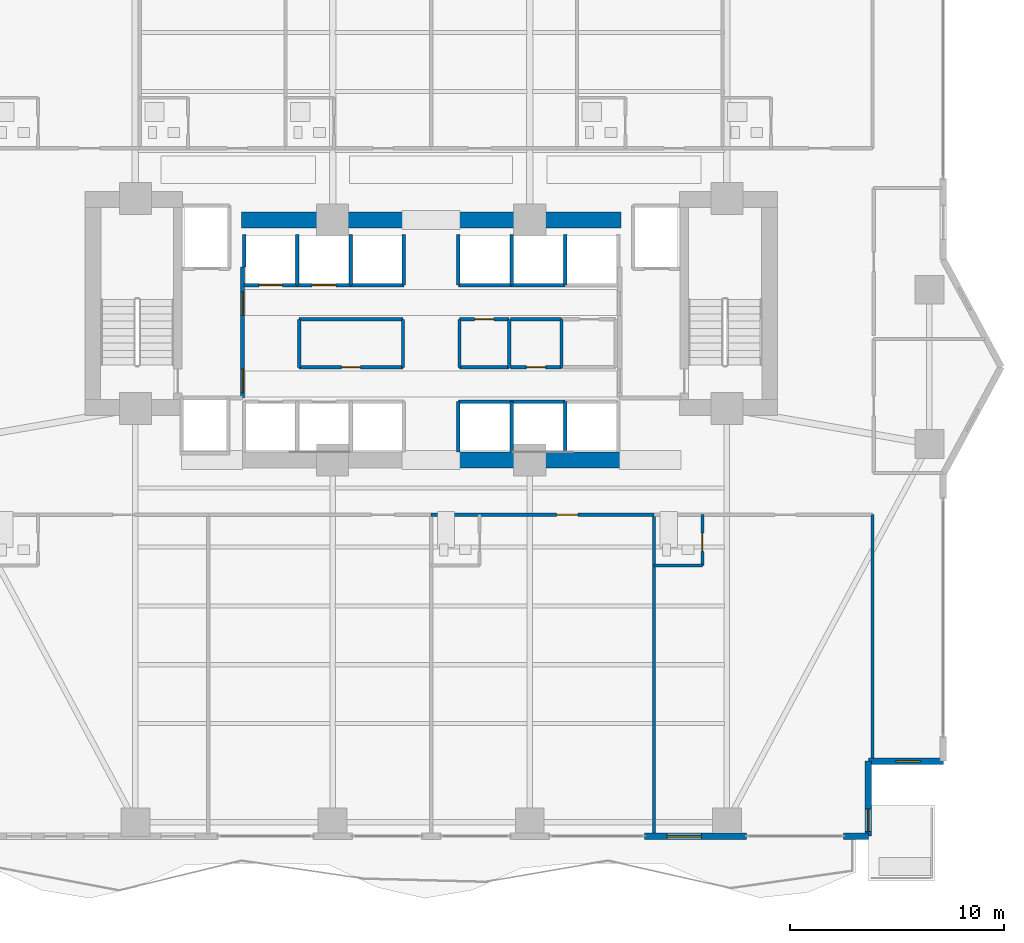
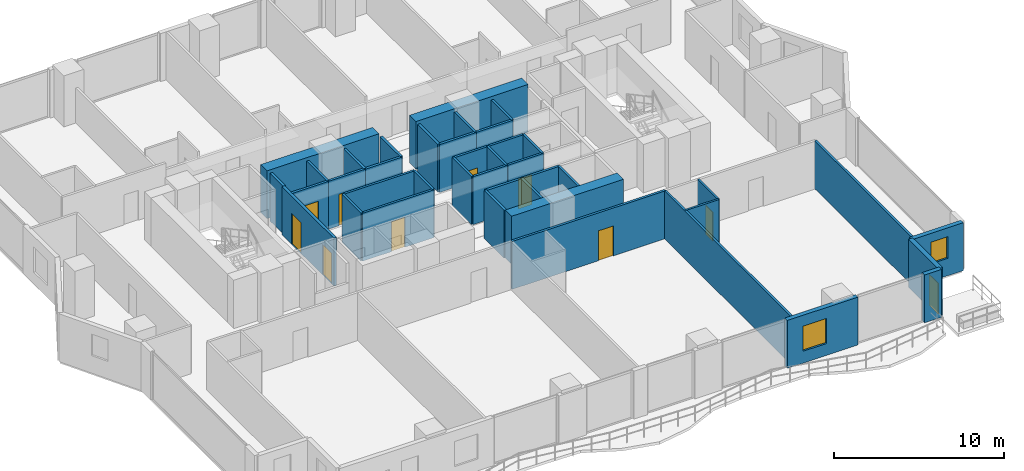
# One storey, part 22 of 30: 41 walls, 10 doors, 2 windows, 12 openings.
"""IFC4 building model written with IfcOpenShell, lengths in metres."""

from ifc_helpers import new_model, si_unit, direction, frame, frame_2d, origin, place, context, subcontext, project, spatial, rectangle, extrude, material, layer, layer_set, type_object, element, fill, save


model = new_model("IFC4")

# Units and contexts
model_context = context("Model", 3, precision=1e-05, world=origin(), true_north=direction((0.0, 1.0)))
body_context = subcontext(model_context, "Body", "Model", "MODEL_VIEW")
ifc_project = project(units=[si_unit("LENGTHUNIT", "METRE"), si_unit("AREAUNIT", "SQUARE_METRE"), si_unit("VOLUMEUNIT", "CUBIC_METRE"), si_unit("PLANEANGLEUNIT", "RADIAN"), si_unit("MASSUNIT", "GRAM", prefix="KILO")], contexts=[model_context])

# Site, building, storey
site_placement = place(None, origin())
site = spatial("IfcSite", under=ifc_project, at=site_placement, CompositionType="ELEMENT")
building_placement = place(site_placement, origin())
building = spatial("IfcBuilding", under=site, at=building_placement, Name="Zuhayl Quay Hotel", CompositionType="ELEMENT")
storey_placement = place(building_placement, frame((0.0, 0.0, 128.5)))
storey = spatial("IfcBuildingStorey", under=building, at=storey_placement, Name="L32", CompositionType="ELEMENT", Elevation=128.5)

# Walls
ifc_material_1 = material(Name="Concrete C60/75", Category="concrete")
ifc_layer_1 = layer(ifc_material_1, 0.75, Name="Concrete C60/75", Category="concrete")
ifc_layer_set_1 = layer_set([ifc_layer_1], Name="Concrete C60/75")
wall_type_1 = type_object("IfcWallType", Name="WL_CORE_750", PredefinedType="SHEAR", material=ifc_layer_set_1)
for number, where, z_axis, x_axis, name in (
    (1, (1.25, 2.14990234375, 0.0), (0.0, 0.0, 1.0), (1.0, 0.0, 0.0), "L32 Core Shear Wall CW_SC_E"),
    (2, (-8.85009765625, 13.35009765625, 0.0), (0.0, 0.0, 1.0), (1.0, 0.0, 0.0), "L32 Core Shear Wall CW_NC_W"),
    (3, (1.25, 13.35009765625, 0.0), (0.0, 0.0, 1.0), (1.0, 0.0, 0.0), "L32 Core Shear Wall CW_NC_E"),
):
    element("IfcWall", number, at=place(storey_placement, frame(where, z_axis=z_axis, x_axis=x_axis)), inside=storey, type_object=wall_type_1, Name=name, PredefinedType="SHEAR", context=body_context, shape_type="SweptSolid", body=[
        extrude(rectangle(XDim=7.60009765625, YDim=0.75, at=frame_2d((3.800048828125, 0.0))), origin(), (0.0, 0.0, 1.0), 3.429931640625),
    ])

# Wall, opening, window
ifc_material_2 = material(Name="Precast concrete C45/55", Category="concrete")
ifc_layer_2 = layer(ifc_material_2, 0.300048828125, Name="Precast concrete C45/55", Category="concrete")
ifc_layer_set_2 = layer_set([ifc_layer_2], Name="Precast concrete C45/55")
wall_type_2 = type_object("IfcWallType", Name="WL_EXT_300", PredefinedType="STANDARD", material=ifc_layer_set_2)
wall_1_placement = place(storey_placement, frame((23.89990234375, -11.89990234375, 0.0), z_axis=(0.0, 0.0, 1.0), x_axis=(-1.0, 0.0, 0.0)))
wall_1 = element("IfcWall", 4, at=wall_1_placement, inside=storey, type_object=wall_type_2, Name="L32 Exterior Precast Wall ENV_L32_EW15", PredefinedType="STANDARD", context=body_context, shape_type="SweptSolid", body=[
    extrude(rectangle(XDim=3.5, YDim=0.300048828125, at=frame_2d((1.75, 0.0))), origin(), (0.0, 0.0, 1.0), 3.429931640625),
])
opening_1_placement = place(wall_1_placement, frame((1.06494140625, 0.0, 1.25)))
opening_1 = element("IfcOpeningElement", 5, at=opening_1_placement, cuts=wall_1, Name="Opening W01N", PredefinedType="OPENING", context=body_context, shape_type="SweptSolid", body=[
    extrude(rectangle(XDim=1.14990234375, YDim=1.550048828125, at=frame_2d((0.574951171875, 0.77490234375))), frame((0.0, 0.159912109375, 0.0), z_axis=(0.0, -1.0, 0.0), x_axis=(1.0, 0.0, 0.0)), (0.0, 0.0, 1.0), 0.320068359375),
])
ifc_material_3 = material(Name="Dark Ceramic-Fritted Solar Glass", Category="glass")
window_type_1 = type_object("IfcWindowType", Name="WN_NOTCH_1350", PartitioningType="SINGLE_PANEL", PredefinedType="WINDOW", material=ifc_material_3)
window_1_placement = place(opening_1_placement, origin())
window_1 = element("IfcWindow", 6, at=window_1_placement, inside=storey, type_object=window_type_1, Name="L32 Corner Notch Window 15", OverallHeight=1.550048828125, OverallWidth=1.14990234375, PartitioningType="SINGLE_PANEL", PredefinedType="WINDOW", context=body_context, shape_type="SweptSolid", body=[
    extrude(rectangle(XDim=1.14990234375, YDim=1.550048828125, at=frame_2d((0.574951171875, 0.77490234375))), frame((0.0, 0.030029296875, 0.0), z_axis=(0.0, -1.0, 0.0), x_axis=(1.0, 0.0, 0.0)), (0.0, 0.0, 1.0), 0.06005859375),
])
fill(opening_1, window_1)

# Wall, opening, door
wall_2_placement = place(storey_placement, frame((20.39990234375, -11.89990234375, 0.0), z_axis=(0.0, 0.0, 1.0), x_axis=(0.0, -1.0, 0.0)))
wall_2 = element("IfcWall", 7, at=wall_2_placement, inside=storey, type_object=wall_type_2, Name="L32 Exterior Precast Wall ENV_L32_SP_SE", PredefinedType="STANDARD", context=body_context, shape_type="SweptSolid", body=[
    extrude(rectangle(XDim=3.5, YDim=0.300048828125, at=frame_2d((1.75, 0.0))), origin(), (0.0, 0.0, 1.0), 3.429931640625),
])
opening_2_placement = place(wall_2_placement, frame((2.22998046875, 0.0, 0.0)))
opening_2 = element("IfcOpeningElement", 8, at=opening_2_placement, cuts=wall_2, Name="Opening DG1", PredefinedType="OPENING", context=body_context, shape_type="SweptSolid", body=[
    extrude(rectangle(XDim=1.050048828125, YDim=2.199951171875, at=frame_2d((0.52490234375, 1.10009765625))), frame((0.0, 0.159912109375, 0.0), z_axis=(0.0, -1.0, 0.0), x_axis=(1.0, 0.0, 0.0)), (0.0, 0.0, 1.0), 0.320068359375),
])
ifc_material_4 = material(Name="Anodised Aluminium and Dark Solar Glass", Category="aluminium")
door_type_1 = type_object("IfcDoorType", Name="DR_EXT_TERR_1050", OperationType="NOTDEFINED", PredefinedType="DOOR", material=ifc_material_4)
door_1_placement = place(opening_2_placement, origin())
door_1 = element("IfcDoor", 9, at=door_1_placement, inside=storey, type_object=door_type_1, Name="L32 Spiral Sky-Terrace SE Access Door", OperationType="SINGLE_SWING_LEFT", OverallHeight=2.199951171875, OverallWidth=1.050048828125, PredefinedType="DOOR", context=body_context, shape_type="SweptSolid", body=[
    extrude(rectangle(XDim=1.050048828125, YDim=2.199951171875, at=frame_2d((0.52490234375, 1.10009765625))), frame((0.0, 0.02490234375, 0.0), z_axis=(0.0, -1.0, 0.0), x_axis=(1.0, 0.0, 0.0)), (0.0, 0.0, 1.0), 0.050048828125),
])
fill(opening_2, door_1)

# Wall
wall_3_placement = place(storey_placement, frame((20.39990234375, -15.39990234375, 0.0), z_axis=(0.0, 0.0, 1.0), x_axis=(-1.0, 0.0, 0.0)))
element("IfcWall", 10, at=wall_3_placement, inside=storey, type_object=wall_type_2, Name="L32 Exterior Precast Wall ENV_L32_S_EW1", PredefinedType="STANDARD", context=body_context, shape_type="SweptSolid", body=[
    extrude(rectangle(XDim=1.14990234375, YDim=0.300048828125, at=frame_2d((0.574951171875, 0.0))), origin(), (0.0, 0.0, 1.0), 3.429931640625),
])

# Wall, opening, window
wall_4_placement = place(storey_placement, frame((14.719970703125, -15.39990234375, 0.0), z_axis=(0.0, 0.0, 1.0), x_axis=(-1.0, 0.0, 0.0)))
wall_4 = element("IfcWall", 11, at=wall_4_placement, inside=storey, type_object=wall_type_2, Name="L32 Exterior Precast Wall ENV_L32_S_EW2", PredefinedType="STANDARD", context=body_context, shape_type="SweptSolid", body=[
    extrude(rectangle(XDim=4.77001953125, YDim=0.300048828125, at=frame_2d((2.385009765625, 0.0))), origin(), (0.0, 0.0, 1.0), 3.429931640625),
])
opening_3_placement = place(wall_4_placement, frame((2.110107421875, 0.0, 0.85009765625)))
opening_3 = element("IfcOpeningElement", 12, at=opening_3_placement, cuts=wall_4, Name="Opening W01", PredefinedType="OPENING", context=body_context, shape_type="SweptSolid", body=[
    extrude(rectangle(XDim=1.60009765625, YDim=1.800048828125, at=frame_2d((0.800048828125, 0.89990234375))), frame((0.0, 0.159912109375, 0.0), z_axis=(0.0, -1.0, 0.0), x_axis=(1.0, 0.0, 0.0)), (0.0, 0.0, 1.0), 0.320068359375),
])
window_type_2 = type_object("IfcWindowType", Name="WN_OPERABLE_1600", PartitioningType="DOUBLE_PANEL_VERTICAL", PredefinedType="WINDOW", material=ifc_material_3)
window_2_placement = place(opening_3_placement, origin())
window_2 = element("IfcWindow", 13, at=window_2_placement, inside=storey, type_object=window_type_2, Name="L32 Operable Facade Window 2-1", OverallHeight=1.800048828125, OverallWidth=1.60009765625, PartitioningType="SINGLE_PANEL", PredefinedType="WINDOW", context=body_context, shape_type="SweptSolid", body=[
    extrude(rectangle(XDim=1.60009765625, YDim=1.800048828125, at=frame_2d((0.800048828125, 0.89990234375))), frame((0.0, 0.030029296875, 0.0), z_axis=(0.0, -1.0, 0.0), x_axis=(1.0, 0.0, 0.0)), (0.0, 0.0, 1.0), 0.06005859375),
])
fill(opening_3, window_2)

# Wall, opening, door
ifc_material_5 = material(Name="Acoustic Gypsum Partition STC-58")
ifc_layer_3 = layer(ifc_material_5, 0.14990234375, Name="Acoustic Gypsum Partition STC-58")
ifc_layer_set_3 = layer_set([ifc_layer_3], Name="Acoustic Gypsum Partition STC-58")
wall_type_3 = type_object("IfcWallType", Name="WL_PART_150", PredefinedType="PARTITIONING", material=ifc_layer_set_3)
wall_5_placement = place(storey_placement, frame((-6.159912109375, 6.47998046875, 0.0), z_axis=(0.0, 0.0, 1.0), x_axis=(1.0, 0.0, 0.0)))
wall_5 = element("IfcWall", 14, at=wall_5_placement, inside=storey, type_object=wall_type_3, Name="L32 Partition IW_L32_CORE_SV_S", PredefinedType="PARTITIONING", context=body_context, shape_type="SweptSolid", body=[
    extrude(rectangle(XDim=4.83984375, YDim=0.14990234375, at=frame_2d((2.419921875, 0.0))), origin(), (0.0, 0.0, 1.0), 3.429931640625),
])
opening_4_placement = place(wall_5_placement, frame((1.969970703125, 0.0, 0.0)))
opening_4 = element("IfcOpeningElement", 15, at=opening_4_placement, cuts=wall_5, Name="Opening D06", PredefinedType="OPENING", context=body_context, shape_type="SweptSolid", body=[
    extrude(rectangle(XDim=0.89990234375, YDim=2.14990234375, at=frame_2d((0.449951171875, 1.074951171875))), frame((0.0, 0.0849609375, 0.0), z_axis=(0.0, -1.0, 0.0), x_axis=(1.0, 0.0, 0.0)), (0.0, 0.0, 1.0), 0.169921875),
])
ifc_material_6 = material(Name="Steel ASTM A992 Grade 50", Category="steel")
door_type_2 = type_object("IfcDoorType", Name="DR_INT_900", OperationType="NOTDEFINED", PredefinedType="DOOR", material=ifc_material_6)
door_2_placement = place(opening_4_placement, origin())
door_2 = element("IfcDoor", 16, at=door_2_placement, inside=storey, type_object=door_type_2, Name="L32 Core Ice and Linen Store Door", OperationType="SINGLE_SWING_LEFT", OverallHeight=2.14990234375, OverallWidth=0.89990234375, PredefinedType="DOOR", context=body_context, shape_type="SweptSolid", body=[
    extrude(rectangle(XDim=0.89990234375, YDim=2.14990234375, at=frame_2d((0.449951171875, 1.074951171875))), frame((0.0, 0.02490234375, 0.0), z_axis=(0.0, -1.0, 0.0), x_axis=(1.0, 0.0, 0.0)), (0.0, 0.0, 1.0), 0.050048828125),
])
fill(opening_4, door_2)

wall_6_placement = place(storey_placement, frame((1.320068359375, 8.719970703125, 0.0), z_axis=(0.0, 0.0, 1.0), x_axis=(1.0, 0.0, 0.0)))
wall_6 = element("IfcWall", 17, at=wall_6_placement, inside=storey, type_object=wall_type_3, Name="L32 Partition IW_L32_CORE_E1_N", PredefinedType="PARTITIONING", context=body_context, shape_type="SweptSolid", body=[
    extrude(rectangle(XDim=2.31982421875, YDim=0.14990234375, at=frame_2d((1.159912109375, 0.0))), origin(), (0.0, 0.0, 1.0), 3.429931640625),
])
opening_5_placement = place(wall_6_placement, frame((0.7099609375, 0.0, 0.0)))
opening_5 = element("IfcOpeningElement", 18, at=opening_5_placement, cuts=wall_6, Name="Opening D06", PredefinedType="OPENING", context=body_context, shape_type="SweptSolid", body=[
    extrude(rectangle(XDim=0.89990234375, YDim=2.14990234375, at=frame_2d((0.449951171875, 1.074951171875))), frame((0.0, 0.0849609375, 0.0), z_axis=(0.0, -1.0, 0.0), x_axis=(1.0, 0.0, 0.0)), (0.0, 0.0, 1.0), 0.169921875),
])
door_3_placement = place(opening_5_placement, origin())
door_3 = element("IfcDoor", 19, at=door_3_placement, inside=storey, type_object=door_type_2, Name="L32 Floor Electrical Closet Door", OperationType="SINGLE_SWING_RIGHT", OverallHeight=2.14990234375, OverallWidth=0.89990234375, PredefinedType="DOOR", context=body_context, shape_type="SweptSolid", body=[
    extrude(rectangle(XDim=0.89990234375, YDim=2.14990234375, at=frame_2d((0.449951171875, 1.074951171875))), frame((0.0, 0.02490234375, 0.0), z_axis=(0.0, -1.0, 0.0), x_axis=(1.0, 0.0, 0.0)), (0.0, 0.0, 1.0), 0.050048828125),
])
fill(opening_5, door_3)

wall_7_placement = place(storey_placement, frame((3.699951171875, 6.47998046875, 0.0), z_axis=(0.0, 0.0, 1.0), x_axis=(1.0, 0.0, 0.0)))
wall_7 = element("IfcWall", 20, at=wall_7_placement, inside=storey, type_object=wall_type_3, Name="L32 Partition IW_L32_CORE_E2_S", PredefinedType="PARTITIONING", context=body_context, shape_type="SweptSolid", body=[
    extrude(rectangle(XDim=2.380126953125, YDim=0.14990234375, at=frame_2d((1.18994140625, 0.0))), origin(), (0.0, 0.0, 1.0), 3.429931640625),
])
opening_6_placement = place(wall_7_placement, frame((0.739990234375, 0.0, 0.0)))
opening_6 = element("IfcOpeningElement", 21, at=opening_6_placement, cuts=wall_7, Name="Opening D06", PredefinedType="OPENING", context=body_context, shape_type="SweptSolid", body=[
    extrude(rectangle(XDim=0.89990234375, YDim=2.14990234375, at=frame_2d((0.449951171875, 1.074951171875))), frame((0.0, 0.0849609375, 0.0), z_axis=(0.0, -1.0, 0.0), x_axis=(1.0, 0.0, 0.0)), (0.0, 0.0, 1.0), 0.169921875),
])
door_4_placement = place(opening_6_placement, origin())
door_4 = element("IfcDoor", 22, at=door_4_placement, inside=storey, type_object=door_type_2, Name="L32 Data Closet Door", OperationType="SINGLE_SWING_LEFT", OverallHeight=2.14990234375, OverallWidth=0.89990234375, PredefinedType="DOOR", context=body_context, shape_type="SweptSolid", body=[
    extrude(rectangle(XDim=0.89990234375, YDim=2.14990234375, at=frame_2d((0.449951171875, 1.074951171875))), frame((0.0, 0.02490234375, 0.0), z_axis=(0.0, -1.0, 0.0), x_axis=(1.0, 0.0, 0.0)), (0.0, 0.0, 1.0), 0.050048828125),
])
fill(opening_6, door_4)

# Walls
wall_8_placement = place(storey_placement, frame((-6.159912109375, 8.719970703125, 0.0), z_axis=(0.0, 0.0, 1.0), x_axis=(1.0, 0.0, 0.0)))
element("IfcWall", 23, at=wall_8_placement, inside=storey, type_object=wall_type_3, Name="L32 Partition IW_L32_CORE_SV_N", PredefinedType="PARTITIONING", context=body_context, shape_type="SweptSolid", body=[
    extrude(rectangle(XDim=4.83984375, YDim=0.14990234375, at=frame_2d((2.419921875, 0.0))), origin(), (0.0, 0.0, 1.0), 3.429931640625),
])
for number, where, z_axis, x_axis, name in (
    (24, (-6.159912109375, 6.47998046875, 0.0), (0.0, 0.0, 1.0), (0.0, 1.0, 0.0), "L32 Partition IW_L32_CORE_SV_W"),
    (25, (-1.320068359375, 6.47998046875, 0.0), (0.0, 0.0, 1.0), (0.0, 1.0, 0.0), "L32 Partition IW_L32_CORE_SV_E"),
):
    element("IfcWall", number, at=place(storey_placement, frame(where, z_axis=z_axis, x_axis=x_axis)), inside=storey, type_object=wall_type_3, Name=name, PredefinedType="PARTITIONING", context=body_context, shape_type="SweptSolid", body=[
        extrude(rectangle(XDim=2.239990234375, YDim=0.14990234375, at=frame_2d((1.1201171875, 0.0))), origin(), (0.0, 0.0, 1.0), 3.429931640625),
    ])
wall_9_placement = place(storey_placement, frame((1.320068359375, 6.47998046875, 0.0), z_axis=(0.0, 0.0, 1.0), x_axis=(1.0, 0.0, 0.0)))
element("IfcWall", 26, at=wall_9_placement, inside=storey, type_object=wall_type_3, Name="L32 Partition IW_L32_CORE_E1_S", PredefinedType="PARTITIONING", context=body_context, shape_type="SweptSolid", body=[
    extrude(rectangle(XDim=2.31982421875, YDim=0.14990234375, at=frame_2d((1.159912109375, 0.0))), origin(), (0.0, 0.0, 1.0), 3.429931640625),
])
for number, where, z_axis, x_axis, name in (
    (27, (1.320068359375, 6.47998046875, 0.0), (0.0, 0.0, 1.0), (0.0, 1.0, 0.0), "L32 Partition IW_L32_CORE_E1_W"),
    (28, (3.639892578125, 6.47998046875, 0.0), (0.0, 0.0, 1.0), (0.0, 1.0, 0.0), "L32 Partition IW_L32_CORE_E1_E"),
):
    element("IfcWall", number, at=place(storey_placement, frame(where, z_axis=z_axis, x_axis=x_axis)), inside=storey, type_object=wall_type_3, Name=name, PredefinedType="PARTITIONING", context=body_context, shape_type="SweptSolid", body=[
        extrude(rectangle(XDim=2.239990234375, YDim=0.14990234375, at=frame_2d((1.1201171875, 0.0))), origin(), (0.0, 0.0, 1.0), 3.429931640625),
    ])
wall_10_placement = place(storey_placement, frame((3.699951171875, 8.719970703125, 0.0), z_axis=(0.0, 0.0, 1.0), x_axis=(1.0, 0.0, 0.0)))
element("IfcWall", 29, at=wall_10_placement, inside=storey, type_object=wall_type_3, Name="L32 Partition IW_L32_CORE_E2_N", PredefinedType="PARTITIONING", context=body_context, shape_type="SweptSolid", body=[
    extrude(rectangle(XDim=2.380126953125, YDim=0.14990234375, at=frame_2d((1.18994140625, 0.0))), origin(), (0.0, 0.0, 1.0), 3.429931640625),
])
wall_11_placement = place(storey_placement, frame((6.080078125, 6.47998046875, 0.0), z_axis=(0.0, 0.0, 1.0), x_axis=(0.0, 1.0, 0.0)))
element("IfcWall", 30, at=wall_11_placement, inside=storey, type_object=wall_type_3, Name="L32 Partition IW_L32_CORE_E2_E", PredefinedType="PARTITIONING", context=body_context, shape_type="SweptSolid", body=[
    extrude(rectangle(XDim=2.239990234375, YDim=0.14990234375, at=frame_2d((1.1201171875, 0.0))), origin(), (0.0, 0.0, 1.0), 3.429931640625),
])
wall_12_placement = place(storey_placement, frame((10.39990234375, -15.320068359375, 0.0), z_axis=(0.0, 0.0, 1.0), x_axis=(0.0, 1.0, 0.0)))
element("IfcWall", 31, at=wall_12_placement, inside=storey, type_object=wall_type_3, Name="L32 Partition IW_L32_SU03_E", PredefinedType="PARTITIONING", context=body_context, shape_type="SweptSolid", body=[
    extrude(rectangle(XDim=14.920166015625, YDim=0.14990234375, at=frame_2d((7.4599609375, 0.0))), origin(), (0.0, 0.0, 1.0), 3.429931640625),
])
wall_13_placement = place(storey_placement, frame((20.60009765625, -11.89990234375, 0.0), z_axis=(0.0, 0.0, 1.0), x_axis=(0.0, 1.0, 0.0)))
element("IfcWall", 32, at=wall_13_placement, inside=storey, type_object=wall_type_3, Name="L32 Partition IW_L32_SU04_E", PredefinedType="PARTITIONING", context=body_context, shape_type="SweptSolid", body=[
    extrude(rectangle(XDim=11.5, YDim=0.14990234375, at=frame_2d((5.75, 0.0))), origin(), (0.0, 0.0, 1.0), 3.429931640625),
])

# Wall, opening, door
ifc_layer_4 = layer(ifc_material_5, 0.159912109375, Name="Acoustic Gypsum Partition STC-58")
ifc_layer_set_4 = layer_set([ifc_layer_4], Name="Acoustic Gypsum Partition STC-58")
wall_type_4 = type_object("IfcWallType", Name="WL_PART_CORR_160", PredefinedType="PARTITIONING", material=ifc_layer_set_4)
wall_14_placement = place(storey_placement, frame((0.0, -0.39990234375, 0.0), z_axis=(0.0, 0.0, 1.0), x_axis=(1.0, 0.0, 0.0)))
wall_14 = element("IfcWall", 33, at=wall_14_placement, inside=storey, type_object=wall_type_4, Name="L32 Partition IW_L32_SU03_COR", PredefinedType="PARTITIONING", context=body_context, shape_type="SweptSolid", body=[
    extrude(rectangle(XDim=10.39990234375, YDim=0.159912109375, at=frame_2d((5.199951171875, 0.0))), origin(), (0.0, 0.0, 1.0), 3.429931640625),
])
opening_7_placement = place(wall_14_placement, frame((5.85009765625, 0.0, 0.0)))
opening_7 = element("IfcOpeningElement", 34, at=opening_7_placement, cuts=wall_14, Name="Opening D03L", PredefinedType="OPENING", context=body_context, shape_type="SweptSolid", body=[
    extrude(rectangle(XDim=1.0, YDim=2.14990234375, at=frame_2d((0.5, 1.074951171875))), frame((0.0, 0.08984375, 0.0), z_axis=(0.0, -1.0, 0.0), x_axis=(1.0, 0.0, 0.0)), (0.0, 0.0, 1.0), 0.179931640625),
])
ifc_material_7 = material(Name="Solid Walnut Acoustic Fire Door")
door_type_3 = type_object("IfcDoorType", Name="DR_SUITE_1000", OperationType="NOTDEFINED", PredefinedType="DOOR", material=ifc_material_7)
door_5_placement = place(opening_7_placement, origin())
door_5 = element("IfcDoor", 35, at=door_5_placement, inside=storey, type_object=door_type_3, Name="L32 City-View Junior Suite L32-03 Entrance Door", OperationType="SINGLE_SWING_RIGHT", OverallHeight=2.14990234375, OverallWidth=1.0, PredefinedType="DOOR", context=body_context, shape_type="SweptSolid", body=[
    extrude(rectangle(XDim=1.0, YDim=2.14990234375, at=frame_2d((0.5, 1.074951171875))), frame((0.0, 0.02490234375, 0.0), z_axis=(0.0, -1.0, 0.0), x_axis=(1.0, 0.0, 0.0)), (0.0, 0.0, 1.0), 0.050048828125),
])
fill(opening_7, door_5)

ifc_material_8 = material(Name="Moisture-Resistant Sanitarychase Gypsum")
ifc_layer_5 = layer(ifc_material_8, 0.135009765625, Name="Moisture-Resistant Sanitarychase Gypsum")
ifc_layer_set_5 = layer_set([ifc_layer_5], Name="Moisture-Resistant Sanitarychase Gypsum")
wall_type_5 = type_object("IfcWallType", Name="WL_PART_PLUMB_150", PredefinedType="PLUMBINGWALL", material=ifc_layer_set_5)
wall_15_placement = place(storey_placement, frame((12.659912109375, -2.760009765625, 0.0), z_axis=(0.0, 0.0, 1.0), x_axis=(0.0, 1.0, 0.0)))
wall_15 = element("IfcWall", 36, at=wall_15_placement, inside=storey, type_object=wall_type_5, Name="L32 Partition IW_L32_SU04_BE", PredefinedType="PLUMBINGWALL", context=body_context, shape_type="SweptSolid", body=[
    extrude(rectangle(XDim=2.360107421875, YDim=0.135009765625, at=frame_2d((1.18017578125, 0.0))), origin(), (0.0, 0.0, 1.0), 3.429931640625),
])
opening_8_placement = place(wall_15_placement, frame((0.64990234375, 0.0, 0.0)))
opening_8 = element("IfcOpeningElement", 37, at=opening_8_placement, cuts=wall_15, Name="Opening D04", PredefinedType="OPENING", context=body_context, shape_type="SweptSolid", body=[
    extrude(rectangle(XDim=0.85009765625, YDim=2.10009765625, at=frame_2d((0.425048828125, 1.050048828125))), frame((0.0, 0.077392578125, 0.0), z_axis=(0.0, -1.0, 0.0), x_axis=(1.0, 0.0, 0.0)), (0.0, 0.0, 1.0), 0.155029296875),
])
ifc_material_9 = material(Name="Moisture-Resistant Walnut Veneer")
door_type_4 = type_object("IfcDoorType", Name="DR_BATH_850", OperationType="NOTDEFINED", PredefinedType="DOOR", material=ifc_material_9)
door_6_placement = place(opening_8_placement, origin())
door_6 = element("IfcDoor", 38, at=door_6_placement, inside=storey, type_object=door_type_4, Name="L32 City-View Junior Suite L32-04 En-Suite Door", OperationType="SINGLE_SWING_LEFT", OverallHeight=2.10009765625, OverallWidth=0.85009765625, PredefinedType="DOOR", context=body_context, shape_type="SweptSolid", body=[
    extrude(rectangle(XDim=0.85009765625, YDim=2.10009765625, at=frame_2d((0.425048828125, 1.050048828125))), frame((0.0, 0.02490234375, 0.0), z_axis=(0.0, -1.0, 0.0), x_axis=(1.0, 0.0, 0.0)), (0.0, 0.0, 1.0), 0.050048828125),
])
fill(opening_8, door_6)

# Wall
wall_16_placement = place(storey_placement, frame((10.39990234375, -2.760009765625, 0.0), z_axis=(0.0, 0.0, 1.0), x_axis=(1.0, 0.0, 0.0)))
element("IfcWall", 39, at=wall_16_placement, inside=storey, type_object=wall_type_5, Name="L32 Partition IW_L32_SU04_BS", PredefinedType="PLUMBINGWALL", context=body_context, shape_type="SweptSolid", body=[
    extrude(rectangle(XDim=2.260009765625, YDim=0.135009765625, at=frame_2d((1.1298828125, 0.0))), origin(), (0.0, 0.0, 1.0), 3.429931640625),
])

# Wall, opening, door
ifc_material_10 = material(Name="Gypsum Fireboard Assembly EI-90")
ifc_layer_6 = layer(ifc_material_10, 0.1650390625, Name="Gypsum Fireboard Assembly EI-90")
ifc_layer_set_6 = layer_set([ifc_layer_6], Name="Gypsum Fireboard Assembly EI-90")
wall_type_6 = type_object("IfcWallType", Name="WL_PART_SHAFT_160", PredefinedType="PARTITIONING", material=ifc_layer_set_6)
wall_17_placement = place(storey_placement, frame((-8.72998046875, 10.320068359375, 0.0), z_axis=(0.0, 0.0, 1.0), x_axis=(1.0, 0.0, 0.0)))
wall_17 = element("IfcWall", 40, at=wall_17_placement, inside=storey, type_object=wall_type_6, Name="L32 Partition IW_L32_SH_LP3_F", PredefinedType="PARTITIONING", context=body_context, shape_type="SweptSolid", body=[
    extrude(rectangle(XDim=2.47998046875, YDim=0.1650390625, at=frame_2d((1.239990234375, 0.0))), origin(), (0.0, 0.0, 1.0), 3.429931640625),
])
opening_9_placement = place(wall_17_placement, frame((0.68994140625, 0.0, 0.0)))
opening_9 = element("IfcOpeningElement", 41, at=opening_9_placement, cuts=wall_17, Name="Opening LD1", PredefinedType="OPENING", context=body_context, shape_type="SweptSolid", body=[
    extrude(rectangle(XDim=1.10009765625, YDim=2.25, at=frame_2d((0.550048828125, 1.125))), frame((0.0, 0.092529296875, 0.0), z_axis=(0.0, -1.0, 0.0), x_axis=(1.0, 0.0, 0.0)), (0.0, 0.0, 1.0), 0.18505859375),
])
ifc_material_11 = material(Name="Brushed Stainless Steel", Category="steel")
door_type_5 = type_object("IfcDoorType", Name="DR_LIFT_PASS_1100", OperationType="SLIDING_TO_LEFT", PredefinedType="DOOR", material=ifc_material_11)
door_7_placement = place(opening_9_placement, origin())
door_7 = element("IfcDoor", 42, at=door_7_placement, inside=storey, type_object=door_type_5, Name="L32 Lift LP3 Sliding Landing Door", OperationType="SLIDING_TO_LEFT", OverallHeight=2.25, OverallWidth=1.10009765625, PredefinedType="DOOR", context=body_context, shape_type="SweptSolid", body=[
    extrude(rectangle(XDim=1.10009765625, YDim=2.25, at=frame_2d((0.550048828125, 1.125))), frame((0.0, 0.02490234375, 0.0), z_axis=(0.0, -1.0, 0.0), x_axis=(1.0, 0.0, 0.0)), (0.0, 0.0, 1.0), 0.050048828125),
])
fill(opening_9, door_7)

wall_18_placement = place(storey_placement, frame((-6.25, 10.320068359375, 0.0), z_axis=(0.0, 0.0, 1.0), x_axis=(1.0, 0.0, 0.0)))
wall_18 = element("IfcWall", 43, at=wall_18_placement, inside=storey, type_object=wall_type_6, Name="L32 Partition IW_L32_SH_LP4_F", PredefinedType="PARTITIONING", context=body_context, shape_type="SweptSolid", body=[
    extrude(rectangle(XDim=2.5, YDim=0.1650390625, at=frame_2d((1.25, 0.0))), origin(), (0.0, 0.0, 1.0), 3.429931640625),
])
opening_10_placement = place(wall_18_placement, frame((0.699951171875, 0.0, 0.0)))
opening_10 = element("IfcOpeningElement", 44, at=opening_10_placement, cuts=wall_18, Name="Opening LD1", PredefinedType="OPENING", context=body_context, shape_type="SweptSolid", body=[
    extrude(rectangle(XDim=1.10009765625, YDim=2.25, at=frame_2d((0.550048828125, 1.125))), frame((0.0, 0.092529296875, 0.0), z_axis=(0.0, -1.0, 0.0), x_axis=(1.0, 0.0, 0.0)), (0.0, 0.0, 1.0), 0.18505859375),
])
door_8_placement = place(opening_10_placement, origin())
door_8 = element("IfcDoor", 45, at=door_8_placement, inside=storey, type_object=door_type_5, Name="L32 Lift LP4 Sliding Landing Door", OperationType="SLIDING_TO_LEFT", OverallHeight=2.25, OverallWidth=1.10009765625, PredefinedType="DOOR", context=body_context, shape_type="SweptSolid", body=[
    extrude(rectangle(XDim=1.10009765625, YDim=2.25, at=frame_2d((0.550048828125, 1.125))), frame((0.0, 0.02490234375, 0.0), z_axis=(0.0, -1.0, 0.0), x_axis=(1.0, 0.0, 0.0)), (0.0, 0.0, 1.0), 0.050048828125),
])
fill(opening_10, door_8)

# Walls
wall_19_placement = place(storey_placement, frame((-8.72998046875, 11.14990234375, 0.0), z_axis=(0.0, 0.0, 1.0), x_axis=(0.0, 1.0, 0.0)))
element("IfcWall", 46, at=wall_19_placement, inside=storey, type_object=wall_type_6, Name="L32 Partition IW_L32_SH_LP3_W", PredefinedType="PARTITIONING", context=body_context, shape_type="SweptSolid", body=[
    extrude(rectangle(XDim=1.530029296875, YDim=0.1650390625, at=frame_2d((0.76513671875, 0.0))), origin(), (0.0, 0.0, 1.0), 3.429931640625),
])
for number, where, z_axis, x_axis, name in (
    (47, (-6.25, 10.320068359375, 0.0), (0.0, 0.0, 1.0), (0.0, 1.0, 0.0), "L32 Partition IW_L32_SH_LP3_E"),
    (48, (-3.75, 10.320068359375, 0.0), (0.0, 0.0, 1.0), (0.0, 1.0, 0.0), "L32 Partition IW_L32_SH_LP4_E"),
):
    element("IfcWall", number, at=place(storey_placement, frame(where, z_axis=z_axis, x_axis=x_axis)), inside=storey, type_object=wall_type_6, Name=name, PredefinedType="PARTITIONING", context=body_context, shape_type="SweptSolid", body=[
        extrude(rectangle(XDim=2.35986328125, YDim=0.1650390625, at=frame_2d((1.179931640625, 0.0))), origin(), (0.0, 0.0, 1.0), 3.429931640625),
    ])
wall_20_placement = place(storey_placement, frame((1.27001953125, 4.8798828125, 0.0), z_axis=(0.0, 0.0, 1.0), x_axis=(1.0, 0.0, 0.0)))
element("IfcWall", 49, at=wall_20_placement, inside=storey, type_object=wall_type_6, Name="L32 Partition IW_L32_SH_MP2_F", PredefinedType="PARTITIONING", context=body_context, shape_type="SweptSolid", body=[
    extrude(rectangle(XDim=2.47998046875, YDim=0.1650390625, at=frame_2d((1.239990234375, 0.0))), origin(), (0.0, 0.0, 1.0), 3.429931640625),
])
for number, where, z_axis, x_axis, name in (
    (50, (1.27001953125, 2.52001953125, 0.0), (0.0, 0.0, 1.0), (0.0, 1.0, 0.0), "L32 Partition IW_L32_SH_MP2_W"),
    (51, (3.75, 2.52001953125, 0.0), (0.0, 0.0, 1.0), (0.0, 1.0, 0.0), "L32 Partition IW_L32_SH_MP2_E"),
):
    element("IfcWall", number, at=place(storey_placement, frame(where, z_axis=z_axis, x_axis=x_axis)), inside=storey, type_object=wall_type_6, Name=name, PredefinedType="PARTITIONING", context=body_context, shape_type="SweptSolid", body=[
        extrude(rectangle(XDim=2.35986328125, YDim=0.1650390625, at=frame_2d((1.179931640625, 0.0))), origin(), (0.0, 0.0, 1.0), 3.429931640625),
    ])
wall_21_placement = place(storey_placement, frame((-3.75, 10.320068359375, 0.0), z_axis=(0.0, 0.0, 1.0), x_axis=(1.0, 0.0, 0.0)))
element("IfcWall", 52, at=wall_21_placement, inside=storey, type_object=wall_type_6, Name="L32 Partition IW_L32_SH_MP3_F", PredefinedType="PARTITIONING", context=body_context, shape_type="SweptSolid", body=[
    extrude(rectangle(XDim=2.47998046875, YDim=0.1650390625, at=frame_2d((1.239990234375, 0.0))), origin(), (0.0, 0.0, 1.0), 3.429931640625),
])
wall_22_placement = place(storey_placement, frame((-1.27001953125, 10.320068359375, 0.0), z_axis=(0.0, 0.0, 1.0), x_axis=(0.0, 1.0, 0.0)))
element("IfcWall", 53, at=wall_22_placement, inside=storey, type_object=wall_type_6, Name="L32 Partition IW_L32_SH_MP3_E", PredefinedType="PARTITIONING", context=body_context, shape_type="SweptSolid", body=[
    extrude(rectangle(XDim=2.35986328125, YDim=0.1650390625, at=frame_2d((1.179931640625, 0.0))), origin(), (0.0, 0.0, 1.0), 3.429931640625),
])
wall_23_placement = place(storey_placement, frame((1.27001953125, 10.320068359375, 0.0), z_axis=(0.0, 0.0, 1.0), x_axis=(1.0, 0.0, 0.0)))
element("IfcWall", 54, at=wall_23_placement, inside=storey, type_object=wall_type_6, Name="L32 Partition IW_L32_SH_MP4_F", PredefinedType="PARTITIONING", context=body_context, shape_type="SweptSolid", body=[
    extrude(rectangle(XDim=2.47998046875, YDim=0.1650390625, at=frame_2d((1.239990234375, 0.0))), origin(), (0.0, 0.0, 1.0), 3.429931640625),
])
for number, where, z_axis, x_axis, name in (
    (55, (1.27001953125, 10.320068359375, 0.0), (0.0, 0.0, 1.0), (0.0, 1.0, 0.0), "L32 Partition IW_L32_SH_MP4_W"),
    (56, (3.75, 10.320068359375, 0.0), (0.0, 0.0, 1.0), (0.0, 1.0, 0.0), "L32 Partition IW_L32_SH_MP4_E"),
):
    element("IfcWall", number, at=place(storey_placement, frame(where, z_axis=z_axis, x_axis=x_axis)), inside=storey, type_object=wall_type_6, Name=name, PredefinedType="PARTITIONING", context=body_context, shape_type="SweptSolid", body=[
        extrude(rectangle(XDim=2.35986328125, YDim=0.1650390625, at=frame_2d((1.179931640625, 0.0))), origin(), (0.0, 0.0, 1.0), 3.429931640625),
    ])
wall_24_placement = place(storey_placement, frame((3.75, 4.8798828125, 0.0), z_axis=(0.0, 0.0, 1.0), x_axis=(1.0, 0.0, 0.0)))
element("IfcWall", 57, at=wall_24_placement, inside=storey, type_object=wall_type_6, Name="L32 Partition IW_L32_SH_HP1_F", PredefinedType="PARTITIONING", context=body_context, shape_type="SweptSolid", body=[
    extrude(rectangle(XDim=2.5, YDim=0.1650390625, at=frame_2d((1.25, 0.0))), origin(), (0.0, 0.0, 1.0), 3.429931640625),
])
wall_25_placement = place(storey_placement, frame((6.25, 2.52001953125, 0.0), z_axis=(0.0, 0.0, 1.0), x_axis=(0.0, 1.0, 0.0)))
element("IfcWall", 58, at=wall_25_placement, inside=storey, type_object=wall_type_6, Name="L32 Partition IW_L32_SH_HP1_E", PredefinedType="PARTITIONING", context=body_context, shape_type="SweptSolid", body=[
    extrude(rectangle(XDim=2.35986328125, YDim=0.1650390625, at=frame_2d((1.179931640625, 0.0))), origin(), (0.0, 0.0, 1.0), 3.429931640625),
])
wall_26_placement = place(storey_placement, frame((3.75, 10.320068359375, 0.0), z_axis=(0.0, 0.0, 1.0), x_axis=(1.0, 0.0, 0.0)))
element("IfcWall", 59, at=wall_26_placement, inside=storey, type_object=wall_type_6, Name="L32 Partition IW_L32_SH_HP3_F", PredefinedType="PARTITIONING", context=body_context, shape_type="SweptSolid", body=[
    extrude(rectangle(XDim=2.5, YDim=0.1650390625, at=frame_2d((1.25, 0.0))), origin(), (0.0, 0.0, 1.0), 3.429931640625),
])
wall_27_placement = place(storey_placement, frame((6.25, 10.320068359375, 0.0), z_axis=(0.0, 0.0, 1.0), x_axis=(0.0, 1.0, 0.0)))
element("IfcWall", 60, at=wall_27_placement, inside=storey, type_object=wall_type_6, Name="L32 Partition IW_L32_SH_HP3_E", PredefinedType="PARTITIONING", context=body_context, shape_type="SweptSolid", body=[
    extrude(rectangle(XDim=2.35986328125, YDim=0.1650390625, at=frame_2d((1.179931640625, 0.0))), origin(), (0.0, 0.0, 1.0), 3.429931640625),
])

# Wall, openings, doors
ifc_material_12 = material(Name="Gypsum Fireboard Assembly EI-120")
ifc_layer_7 = layer(ifc_material_12, 0.199951171875, Name="Gypsum Fireboard Assembly EI-120")
ifc_layer_set_7 = layer_set([ifc_layer_7], Name="Gypsum Fireboard Assembly EI-120")
wall_type_7 = type_object("IfcWallType", Name="WL_PART_SHAFT_200", PredefinedType="PARTITIONING", material=ifc_layer_set_7)
wall_28_placement = place(storey_placement, frame((-8.800048828125, 5.050048828125, 0.0), z_axis=(0.0, 0.0, 1.0), x_axis=(0.0, 1.0, 0.0)))
wall_28 = element("IfcWall", 61, at=wall_28_placement, inside=storey, type_object=wall_type_7, Name="L32 Partition IW_L32_FSAE_W_E", PredefinedType="PARTITIONING", context=body_context, shape_type="SweptSolid", body=[
    extrude(rectangle(XDim=6.099853515625, YDim=0.199951171875, at=frame_2d((3.0498046875, 0.0))), origin(), (0.0, 0.0, 1.0), 3.429931640625),
])
opening_11_placement = place(wall_28_placement, frame((0.25, 0.0, 0.0)))
opening_11 = element("IfcOpeningElement", 62, at=opening_11_placement, cuts=wall_28, Name="Opening D02", PredefinedType="OPENING", context=body_context, shape_type="SweptSolid", body=[
    extrude(rectangle(XDim=1.10009765625, YDim=2.199951171875, at=frame_2d((0.550048828125, 1.10009765625))), frame((0.0, 0.10986328125, 0.0), z_axis=(0.0, -1.0, 0.0), x_axis=(1.0, 0.0, 0.0)), (0.0, 0.0, 1.0), 0.219970703125),
])
opening_12_placement = place(wall_28_placement, frame((3.85009765625, 0.0, 0.0)))
opening_12 = element("IfcOpeningElement", 63, at=opening_12_placement, cuts=wall_28, Name="Opening D02", PredefinedType="OPENING", context=body_context, shape_type="SweptSolid", body=[
    extrude(rectangle(XDim=1.10009765625, YDim=2.199951171875, at=frame_2d((0.550048828125, 1.10009765625))), frame((0.0, 0.10986328125, 0.0), z_axis=(0.0, -1.0, 0.0), x_axis=(1.0, 0.0, 0.0)), (0.0, 0.0, 1.0), 0.219970703125),
])
door_type_6 = type_object("IfcDoorType", Name="DR_FIRE_90_1100", OperationType="NOTDEFINED", PredefinedType="DOOR", material=ifc_material_6)
door_9_placement = place(opening_11_placement, origin())
door_9 = element("IfcDoor", 64, at=door_9_placement, inside=storey, type_object=door_type_6, Name="L32 FSAE Lobby West South Entry Door", OperationType="SINGLE_SWING_LEFT", OverallHeight=2.199951171875, OverallWidth=1.10009765625, PredefinedType="DOOR", context=body_context, shape_type="SweptSolid", body=[
    extrude(rectangle(XDim=1.10009765625, YDim=2.199951171875, at=frame_2d((0.550048828125, 1.10009765625))), frame((0.0, 0.02490234375, 0.0), z_axis=(0.0, -1.0, 0.0), x_axis=(1.0, 0.0, 0.0)), (0.0, 0.0, 1.0), 0.050048828125),
])
fill(opening_11, door_9)
door_10_placement = place(opening_12_placement, origin())
door_10 = element("IfcDoor", 65, at=door_10_placement, inside=storey, type_object=door_type_6, Name="L32 FSAE Lobby West North Entry Door", OperationType="SINGLE_SWING_RIGHT", OverallHeight=2.199951171875, OverallWidth=1.10009765625, PredefinedType="DOOR", context=body_context, shape_type="SweptSolid", body=[
    extrude(rectangle(XDim=1.10009765625, YDim=2.199951171875, at=frame_2d((0.550048828125, 1.10009765625))), frame((0.0, 0.02490234375, 0.0), z_axis=(0.0, -1.0, 0.0), x_axis=(1.0, 0.0, 0.0)), (0.0, 0.0, 1.0), 0.050048828125),
])
fill(opening_12, door_10)

save(model, "model.ifc")
